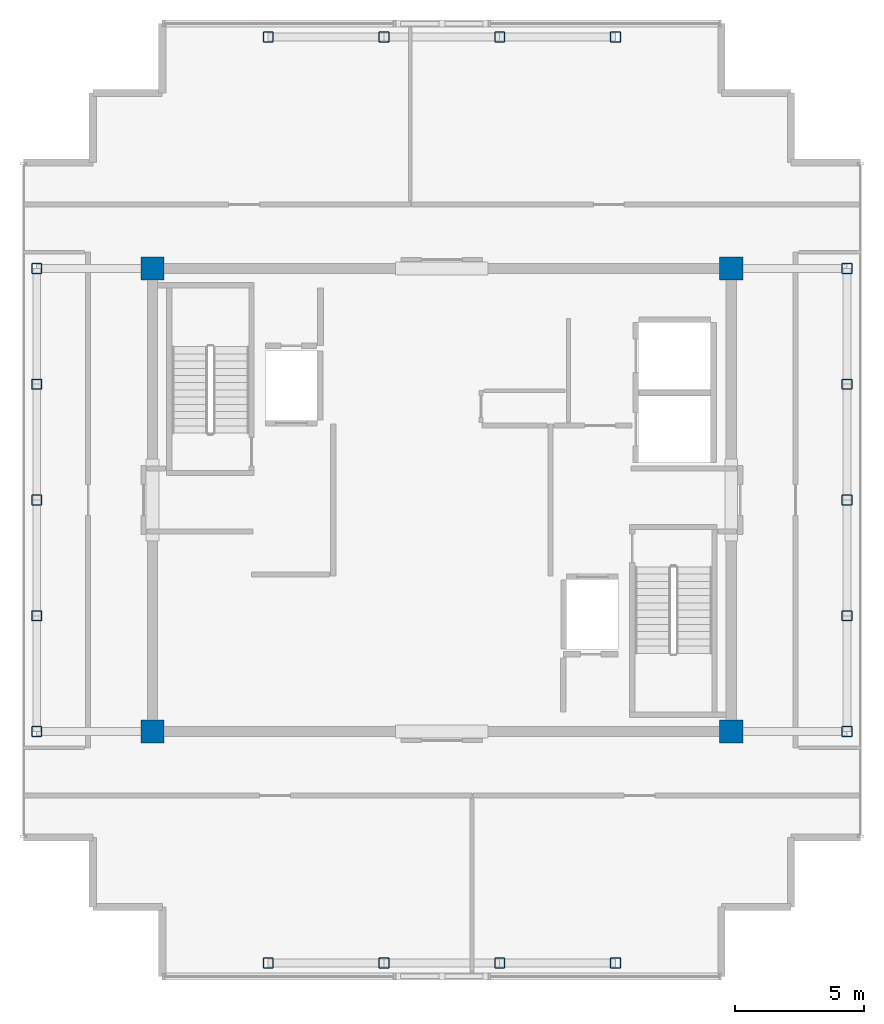
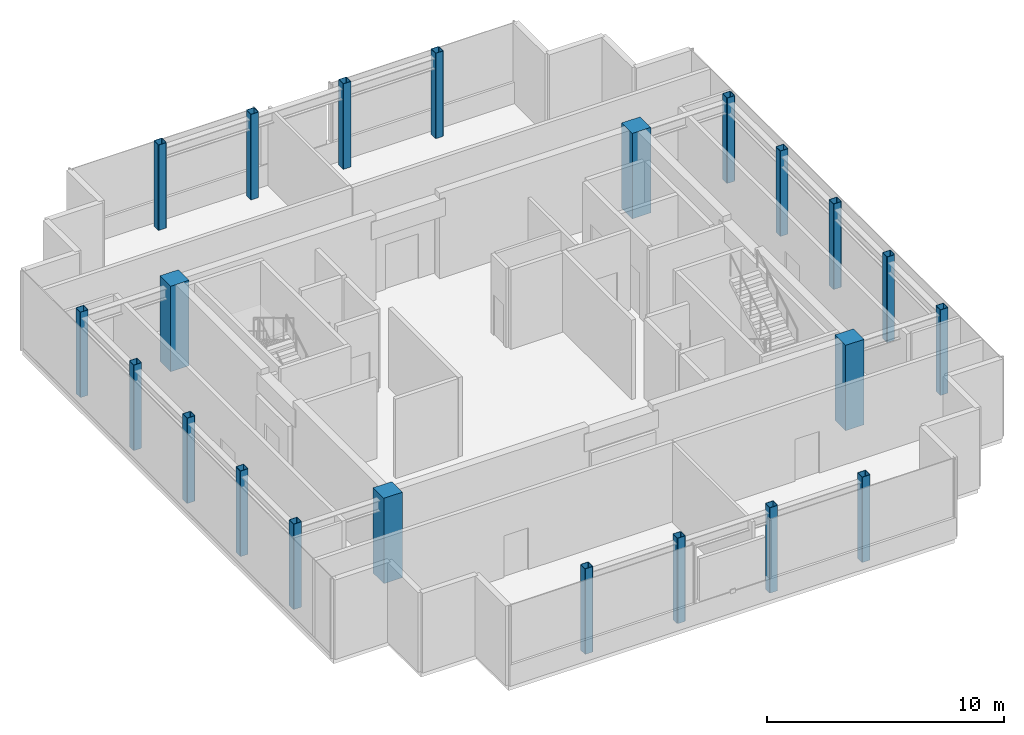
# One storey, part 1 of 14: 22 columns.
"""IFC4 building model written with IfcOpenShell, lengths in metres."""

from ifc_helpers import new_model, si_unit, direction, frame, origin, origin_2d, place, context, subcontext, project, spatial, rectangle, hollow_rectangle, extrude, source, transform, mapped, material, material_profile, profile_set, type_object, element, save


model = new_model("IFC4")

# Units and contexts
model_context = context("Model", 3, precision=1e-05, world=origin(), true_north=direction((0.0, 1.0)))
body_context = subcontext(model_context, "Body", "Model", "MODEL_VIEW")
ifc_project = project(units=[si_unit("LENGTHUNIT", "METRE"), si_unit("AREAUNIT", "SQUARE_METRE"), si_unit("VOLUMEUNIT", "CUBIC_METRE"), si_unit("PLANEANGLEUNIT", "RADIAN"), si_unit("MASSUNIT", "GRAM", prefix="KILO")], contexts=[model_context])

# Site, building, storey
site_placement = place(None, origin())
site = spatial("IfcSite", under=ifc_project, at=site_placement, CompositionType="ELEMENT")
building_placement = place(site_placement, origin())
building = spatial("IfcBuilding", under=site, at=building_placement, Name="Nefas-Gora Pilgrimage Tower", CompositionType="ELEMENT")
storey_placement = place(building_placement, frame((0.0, 0.0, 363.0)))
storey = spatial("IfcBuildingStorey", under=building, at=storey_placement, Name="L91", CompositionType="ELEMENT", Elevation=363.0)

# Columns
ifc_material_1 = material(Name="Steel S355", Category="steel")
ifc_material_profile_1 = material_profile(ifc_material_1, hollow_rectangle(XDim=0.39990234375, YDim=0.39990234375, WallThickness=0.02001953125, InnerFilletRadius=0.02001953125, OuterFilletRadius=0.0400390625, at=origin_2d()), Name="SHS 400x400x20")
ifc_profile_set_1 = profile_set([ifc_material_profile_1], Name="Steel S355")
column_type_1 = type_object("IfcColumnType", Name="COL-TUBE-400", PredefinedType="COLUMN", material=ifc_profile_set_1)
shared_shape_1 = source(origin(), body_context, "Body", "SweptSolid", [
    extrude(hollow_rectangle(XDim=0.39990234375, YDim=0.39990234375, WallThickness=0.02001953125, InnerFilletRadius=0.02001953125, OuterFilletRadius=0.0400390625, at=origin_2d()), origin(), (0.0, 0.0, 1.0), 4.39990234375),
])
for number, where, z_axis, x_axis, name in (
    (1, (-15.75, -9.0, 0.0), (0.0, 0.0, 1.0), (1.0, 0.0, 0.0), "L91 Tower Column C-Z5.1"),
    (2, (-15.75, -4.5, 0.0), (0.0, 0.0, 1.0), (1.0, 0.0, 0.0), "L91 Tower Column C-Z5.2"),
    (3, (-15.75, 0.0, 0.0), (0.0, 0.0, 1.0), (1.0, 0.0, 0.0), "L91 Tower Column C-Z5.3"),
    (4, (-15.75, 4.5, 0.0), (0.0, 0.0, 1.0), (1.0, 0.0, 0.0), "L91 Tower Column C-Z5.4"),
    (5, (-15.75, 9.0, 0.0), (0.0, 0.0, 1.0), (1.0, 0.0, 0.0), "L91 Tower Column C-Z5.5"),
    (6, (-6.75, -18.0, 0.0), (0.0, 0.0, 1.0), (1.0, 0.0, 0.0), "L91 Tower Column C-Z5.8"),
    (7, (-6.75, 18.0, 0.0), (0.0, 0.0, 1.0), (1.0, 0.0, 0.0), "L91 Tower Column C-Z5.9"),
    (8, (-2.25, -18.0, 0.0), (0.0, 0.0, 1.0), (1.0, 0.0, 0.0), "L91 Tower Column C-Z5.10"),
    (9, (-2.25, 18.0, 0.0), (0.0, 0.0, 1.0), (1.0, 0.0, 0.0), "L91 Tower Column C-Z5.11"),
    (10, (2.25, -18.0, 0.0), (0.0, 0.0, 1.0), (1.0, 0.0, 0.0), "L91 Tower Column C-Z5.12"),
    (11, (2.25, 18.0, 0.0), (0.0, 0.0, 1.0), (1.0, 0.0, 0.0), "L91 Tower Column C-Z5.13"),
    (12, (6.75, -18.0, 0.0), (0.0, 0.0, 1.0), (1.0, 0.0, 0.0), "L91 Tower Column C-Z5.14"),
    (13, (6.75, 18.0, 0.0), (0.0, 0.0, 1.0), (1.0, 0.0, 0.0), "L91 Tower Column C-Z5.15"),
    (14, (15.75, -9.0, 0.0), (0.0, 0.0, 1.0), (1.0, 0.0, 0.0), "L91 Tower Column C-Z5.18"),
    (15, (15.75, -4.5, 0.0), (0.0, 0.0, 1.0), (1.0, 0.0, 0.0), "L91 Tower Column C-Z5.19"),
    (16, (15.75, 0.0, 0.0), (0.0, 0.0, 1.0), (1.0, 0.0, 0.0), "L91 Tower Column C-Z5.20"),
    (17, (15.75, 4.5, 0.0), (0.0, 0.0, 1.0), (1.0, 0.0, 0.0), "L91 Tower Column C-Z5.21"),
    (18, (15.75, 9.0, 0.0), (0.0, 0.0, 1.0), (1.0, 0.0, 0.0), "L91 Tower Column C-Z5.22"),
):
    element("IfcColumn", number, at=place(storey_placement, frame(where, z_axis=z_axis, x_axis=x_axis)), inside=storey, type_object=column_type_1, Name=name, PredefinedType="COLUMN", context=body_context, shape_type="MappedRepresentation", body=[
        mapped(shared_shape_1, transform((0.0, 0.0, 0.0), x_axis=(1.0, 0.0, 0.0), y_axis=(0.0, 1.0, 0.0), z_axis=(0.0, 0.0, 1.0), scale=1.0)),
    ])
ifc_material_2 = material(Name="Concrete C50/60", Category="concrete")
ifc_material_profile_2 = material_profile(ifc_material_2, rectangle(XDim=0.89990234375, YDim=0.89990234375, at=origin_2d()), Name="RC 900x900")
ifc_profile_set_2 = profile_set([ifc_material_profile_2], Name="Concrete C50/60")
column_type_2 = type_object("IfcColumnType", Name="COL-RC-900", PredefinedType="COLUMN", material=ifc_profile_set_2)
shared_shape_2 = source(origin(), body_context, "Body", "SweptSolid", [
    extrude(rectangle(XDim=0.89990234375, YDim=0.89990234375, at=origin_2d()), origin(), (0.0, 0.0, 1.0), 4.39990234375),
])
for number, where, z_axis, x_axis, name in (
    (19, (-11.25, -9.0, 0.0), (0.0, 0.0, 1.0), (1.0, 0.0, 0.0), "L91 Tower Column CRC-02.6"),
    (20, (-11.25, 9.0, 0.0), (0.0, 0.0, 1.0), (1.0, 0.0, 0.0), "L91 Tower Column CRC-02.7"),
    (21, (11.25, -9.0, 0.0), (0.0, 0.0, 1.0), (1.0, 0.0, 0.0), "L91 Tower Column CRC-02.16"),
    (22, (11.25, 9.0, 0.0), (0.0, 0.0, 1.0), (1.0, 0.0, 0.0), "L91 Tower Column CRC-02.17"),
):
    element("IfcColumn", number, at=place(storey_placement, frame(where, z_axis=z_axis, x_axis=x_axis)), inside=storey, type_object=column_type_2, Name=name, PredefinedType="COLUMN", context=body_context, shape_type="MappedRepresentation", body=[
        mapped(shared_shape_2, transform((0.0, 0.0, 0.0), x_axis=(1.0, 0.0, 0.0), y_axis=(0.0, 1.0, 0.0), z_axis=(0.0, 0.0, 1.0), scale=1.0)),
    ])

save(model, "model.ifc")
